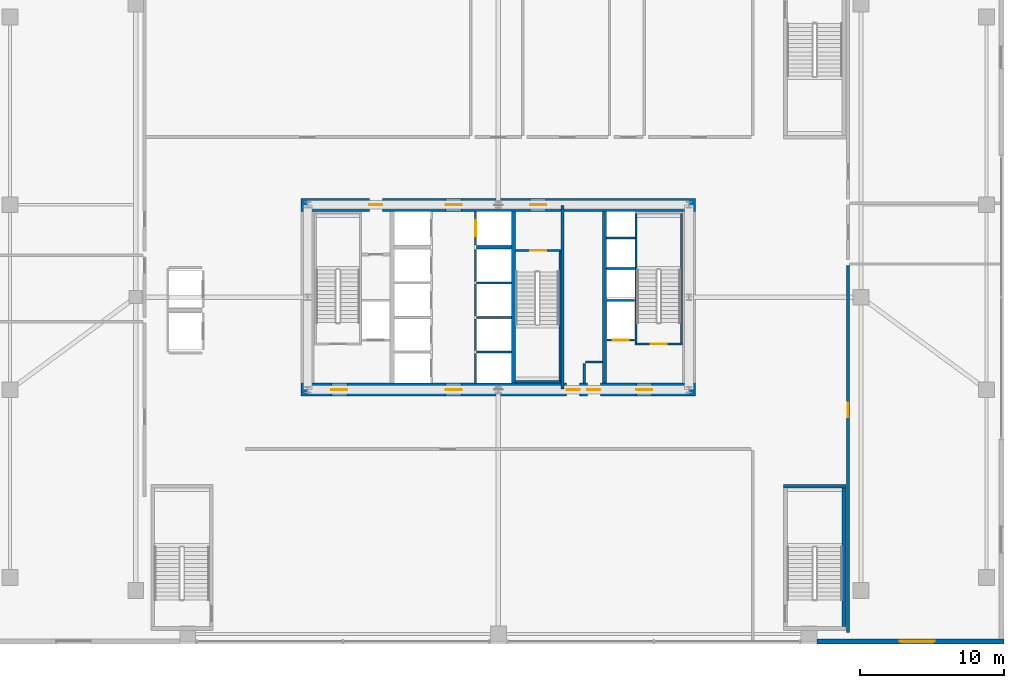
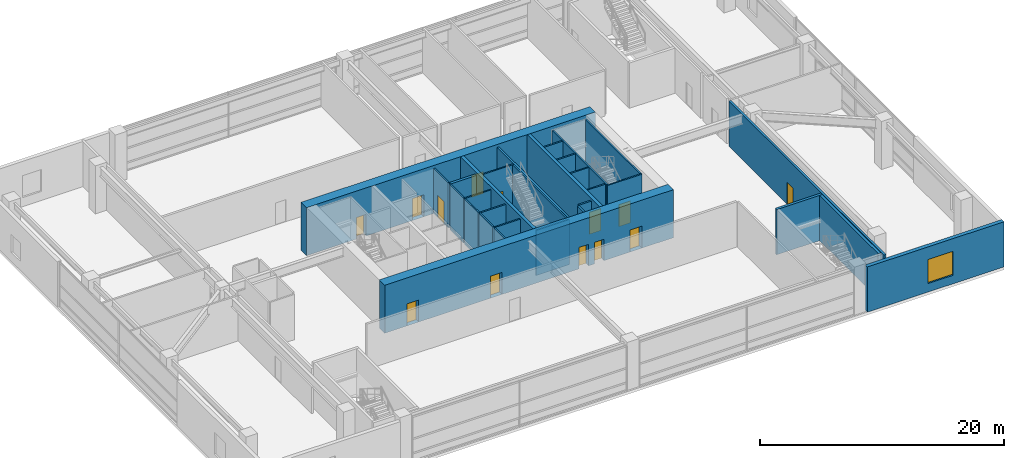
# One storey, part 34 of 38: 30 walls, 13 doors, 1 window, 14 openings.
"""IFC4 building model written with IfcOpenShell, lengths in metres."""

from ifc_helpers import new_model, si_unit, direction, frame, frame_2d, origin, place, context, subcontext, project, spatial, rectangle, extrude, source, transform, mapped, material, layer, layer_set, type_object, element, fill, save


model = new_model("IFC4")

# Units and contexts
model_context = context("Model", 3, precision=1e-05, world=origin(), true_north=direction((0.0, 1.0)))
body_context = subcontext(model_context, "Body", "Model", "MODEL_VIEW")
ifc_project = project(units=[si_unit("LENGTHUNIT", "METRE"), si_unit("AREAUNIT", "SQUARE_METRE"), si_unit("VOLUMEUNIT", "CUBIC_METRE"), si_unit("PLANEANGLEUNIT", "RADIAN"), si_unit("MASSUNIT", "GRAM", prefix="KILO"), si_unit("THERMODYNAMICTEMPERATUREUNIT", "KELVIN"), si_unit("POWERUNIT", "WATT")], contexts=[model_context])

# Site, building, storey
site_placement = place(None, origin())
site = spatial("IfcSite", under=ifc_project, at=site_placement, CompositionType="ELEMENT")
building_placement = place(site_placement, origin())
building = spatial("IfcBuilding", under=site, at=building_placement, Name="Yuzanri Waterfront Tower", CompositionType="ELEMENT")
storey_placement = place(building_placement, frame((0.0, 0.0, 10.199951171875)))
storey = spatial("IfcBuildingStorey", under=building, at=storey_placement, Name="L03", CompositionType="ELEMENT", Elevation=10.199951171875)

# Wall, openings, doors
ifc_material_1 = material(Name="Concrete C60", Category="concrete")
ifc_layer_1 = layer(ifc_material_1, 0.89990234375)
ifc_layer_set_1 = layer_set([ifc_layer_1], Name="Concrete C60")
wall_type_1 = type_object("IfcWallType", Name="Concrete C60 Lower Zone Core Shear Wall 900", PredefinedType="SHEAR", material=ifc_layer_set_1)
wall_1_placement = place(storey_placement, frame((23.35009765625, 19.39990234375, 0.0), z_axis=(0.0, 0.0, 1.0), x_axis=(1.0, 0.0, 0.0)))
wall_1 = element("IfcWall", 1, at=wall_1_placement, inside=storey, type_object=wall_type_1, Name="L03 Core South Shear Wall", PredefinedType="SHEAR", context=body_context, shape_type="SweptSolid", body=[
    extrude(rectangle(XDim=27.2998046875, YDim=0.89990234375, at=frame_2d((13.64990234375, 0.0))), origin(), (0.0, 0.0, 1.0), 4.800048828125),
])
opening_1_placement = place(wall_1_placement, frame((2.10009765625, 0.0, 0.0)))
opening_1 = element("IfcOpeningElement", 2, at=opening_1_placement, cuts=wall_1, Name="Opening FD-1100", PredefinedType="OPENING", context=body_context, shape_type="SweptSolid", body=[
    extrude(rectangle(XDim=1.10009765625, YDim=2.199951171875, at=frame_2d((0.550048828125, 1.10009765625))), frame((0.0, 0.46484375, 0.0), z_axis=(0.0, -1.0, 0.0), x_axis=(1.0, 0.0, 0.0)), (0.0, 0.0, 1.0), 0.9296875),
])
opening_2_placement = place(wall_1_placement, frame((10.0, 0.0, 0.0)))
opening_2 = element("IfcOpeningElement", 3, at=opening_2_placement, cuts=wall_1, Name="Opening FD-1100", PredefinedType="OPENING", context=body_context, shape_type="SweptSolid", body=[
    extrude(rectangle(XDim=1.10009765625, YDim=2.199951171875, at=frame_2d((0.550048828125, 1.10009765625))), frame((0.0, 0.46484375, 0.0), z_axis=(0.0, -1.0, 0.0), x_axis=(1.0, 0.0, 0.0)), (0.0, 0.0, 1.0), 0.9296875),
])
opening_3_placement = place(wall_1_placement, frame((23.199951171875, 0.0, 0.0)))
opening_3 = element("IfcOpeningElement", 4, at=opening_3_placement, cuts=wall_1, Name="Opening FD-1100", PredefinedType="OPENING", context=body_context, shape_type="SweptSolid", body=[
    extrude(rectangle(XDim=1.10009765625, YDim=2.199951171875, at=frame_2d((0.550048828125, 1.10009765625))), frame((0.0, 0.46484375, 0.0), z_axis=(0.0, -1.0, 0.0), x_axis=(1.0, 0.0, 0.0)), (0.0, 0.0, 1.0), 0.9296875),
])
opening_4_placement = place(wall_1_placement, frame((19.820068359375, 0.0, 0.0)))
opening_4 = element("IfcOpeningElement", 5, at=opening_4_placement, cuts=wall_1, Name="Opening FD-0900", PredefinedType="OPENING", context=body_context, shape_type="SweptSolid", body=[
    extrude(rectangle(XDim=0.89990234375, YDim=2.14990234375, at=frame_2d((0.449951171875, 1.074951171875))), frame((0.0, 0.46484375, 0.0), z_axis=(0.0, -1.0, 0.0), x_axis=(1.0, 0.0, 0.0)), (0.0, 0.0, 1.0), 0.9296875),
])
opening_5_placement = place(wall_1_placement, frame((18.3798828125, 0.0, 0.0)))
opening_5 = element("IfcOpeningElement", 6, at=opening_5_placement, cuts=wall_1, Name="Opening FD-0900", PredefinedType="OPENING", context=body_context, shape_type="SweptSolid", body=[
    extrude(rectangle(XDim=0.89990234375, YDim=2.14990234375, at=frame_2d((0.449951171875, 1.074951171875))), frame((0.0, 0.46484375, 0.0), z_axis=(0.0, -1.0, 0.0), x_axis=(1.0, 0.0, 0.0)), (0.0, 0.0, 1.0), 0.9296875),
])
ifc_material_2 = material(Name="Painted Galvanized Fire Steel", Category="steel")
door_type_1 = type_object("IfcDoorType", Name="Smoke-Proof Stair and Lobby Fire Door 1100x2200", OperationType="NOTDEFINED", PredefinedType="DOOR", material=ifc_material_2)
shared_shape_1 = source(origin(), body_context, "Body", "SweptSolid", [
    extrude(rectangle(XDim=1.10009765625, YDim=2.199951171875, at=frame_2d((0.550048828125, 1.10009765625))), frame((0.0, 0.02490234375, 0.0), z_axis=(0.0, -1.0, 0.0), x_axis=(1.0, 0.0, 0.0)), (0.0, 0.0, 1.0), 0.050048828125),
])
door_1_placement = place(opening_1_placement, origin())
door_1 = element("IfcDoor", 7, at=door_1_placement, inside=storey, type_object=door_type_1, Name="L03 West Firefighting Lobby Door", OperationType="SINGLE_SWING_RIGHT", OverallHeight=2.199951171875, OverallWidth=1.10009765625, PredefinedType="DOOR", context=body_context, shape_type="MappedRepresentation", body=[
    mapped(shared_shape_1, transform((0.0, 0.0, 0.0), scale=1.0)),
])
fill(opening_1, door_1)
door_2_placement = place(opening_2_placement, origin())
door_2 = element("IfcDoor", 8, at=door_2_placement, inside=storey, type_object=door_type_1, Name="L03 Central Lift Lobby South Door", OperationType="SINGLE_SWING_LEFT", OverallHeight=2.199951171875, OverallWidth=1.10009765625, PredefinedType="DOOR", context=body_context, shape_type="MappedRepresentation", body=[
    mapped(shared_shape_1, transform((0.0, 0.0, 0.0), scale=1.0)),
])
fill(opening_2, door_2)
door_3_placement = place(opening_3_placement, origin())
door_3 = element("IfcDoor", 9, at=door_3_placement, inside=storey, type_object=door_type_1, Name="L03 East Firefighting Lobby Door", OperationType="SINGLE_SWING_RIGHT", OverallHeight=2.199951171875, OverallWidth=1.10009765625, PredefinedType="DOOR", context=body_context, shape_type="MappedRepresentation", body=[
    mapped(shared_shape_1, transform((0.0, 0.0, 0.0), scale=1.0)),
])
fill(opening_3, door_3)
ifc_material_3 = material(Name="Painted Galvanized Fire Steel", Category="steel")
door_type_2 = type_object("IfcDoorType", Name="Riser and Service Room Fire Door 900x2150", OperationType="NOTDEFINED", PredefinedType="DOOR", material=ifc_material_3)
shared_shape_2 = source(origin(), body_context, "Body", "SweptSolid", [
    extrude(rectangle(XDim=0.89990234375, YDim=2.14990234375, at=frame_2d((0.449951171875, 1.074951171875))), frame((0.0, 0.02490234375, 0.0), z_axis=(0.0, -1.0, 0.0), x_axis=(1.0, 0.0, 0.0)), (0.0, 0.0, 1.0), 0.050048828125),
])
door_4_placement = place(opening_4_placement, origin())
door_4 = element("IfcDoor", 10, at=door_4_placement, inside=storey, type_object=door_type_2, Name="L03 East Wet Riser Door", OperationType="SINGLE_SWING_LEFT", OverallHeight=2.14990234375, OverallWidth=0.89990234375, PredefinedType="DOOR", context=body_context, shape_type="MappedRepresentation", body=[
    mapped(shared_shape_2, transform((0.0, 0.0, 0.0), scale=1.0)),
])
fill(opening_4, door_4)
door_5_placement = place(opening_5_placement, origin())
door_5 = element("IfcDoor", 11, at=door_5_placement, inside=storey, type_object=door_type_2, Name="L03 Cleaners Store Room", OperationType="SINGLE_SWING_RIGHT", OverallHeight=2.14990234375, OverallWidth=0.89990234375, PredefinedType="DOOR", context=body_context, shape_type="MappedRepresentation", body=[
    mapped(shared_shape_2, transform((0.0, 0.0, 0.0), scale=1.0)),
])
fill(opening_5, door_5)

wall_2_placement = place(storey_placement, frame((23.35009765625, 32.199951171875, 0.0), z_axis=(0.0, 0.0, 1.0), x_axis=(1.0, 0.0, 0.0)))
wall_2 = element("IfcWall", 12, at=wall_2_placement, inside=storey, type_object=wall_type_1, Name="L03 Core North Shear Wall", PredefinedType="SHEAR", context=body_context, shape_type="SweptSolid", body=[
    extrude(rectangle(XDim=27.2998046875, YDim=0.89990234375, at=frame_2d((13.64990234375, 0.0))), origin(), (0.0, 0.0, 1.0), 4.800048828125),
])
opening_6_placement = place(wall_2_placement, frame((4.719970703125, 0.0, 0.0)))
opening_6 = element("IfcOpeningElement", 13, at=opening_6_placement, cuts=wall_2, Name="Opening FD-0900", PredefinedType="OPENING", context=body_context, shape_type="SweptSolid", body=[
    extrude(rectangle(XDim=0.89990234375, YDim=2.14990234375, at=frame_2d((0.449951171875, 1.074951171875))), frame((0.0, 0.46484375, 0.0), z_axis=(0.0, -1.0, 0.0), x_axis=(1.0, 0.0, 0.0)), (0.0, 0.0, 1.0), 0.9296875),
])
opening_7_placement = place(wall_2_placement, frame((10.0, 0.0, 0.0)))
opening_7 = element("IfcOpeningElement", 14, at=opening_7_placement, cuts=wall_2, Name="Opening FD-1100", PredefinedType="OPENING", context=body_context, shape_type="SweptSolid", body=[
    extrude(rectangle(XDim=1.10009765625, YDim=2.199951171875, at=frame_2d((0.550048828125, 1.10009765625))), frame((0.0, 0.46484375, 0.0), z_axis=(0.0, -1.0, 0.0), x_axis=(1.0, 0.0, 0.0)), (0.0, 0.0, 1.0), 0.9296875),
])
opening_8_placement = place(wall_2_placement, frame((15.85009765625, 0.0, 0.0)))
opening_8 = element("IfcOpeningElement", 15, at=opening_8_placement, cuts=wall_2, Name="Opening FD-1100", PredefinedType="OPENING", context=body_context, shape_type="SweptSolid", body=[
    extrude(rectangle(XDim=1.10009765625, YDim=2.199951171875, at=frame_2d((0.550048828125, 1.10009765625))), frame((0.0, 0.46484375, 0.0), z_axis=(0.0, -1.0, 0.0), x_axis=(1.0, 0.0, 0.0)), (0.0, 0.0, 1.0), 0.9296875),
])
door_6_placement = place(opening_7_placement, origin())
door_6 = element("IfcDoor", 16, at=door_6_placement, inside=storey, type_object=door_type_1, Name="L03 Central Lift Lobby North Door", OperationType="SINGLE_SWING_RIGHT", OverallHeight=2.199951171875, OverallWidth=1.10009765625, PredefinedType="DOOR", context=body_context, shape_type="MappedRepresentation", body=[
    mapped(shared_shape_1, transform((0.0, 0.0, 0.0), scale=1.0)),
])
fill(opening_7, door_6)
door_7_placement = place(opening_8_placement, origin())
door_7 = element("IfcDoor", 17, at=door_7_placement, inside=storey, type_object=door_type_1, Name="L03 North Stair Lobby Door", OperationType="SINGLE_SWING_LEFT", OverallHeight=2.199951171875, OverallWidth=1.10009765625, PredefinedType="DOOR", context=body_context, shape_type="MappedRepresentation", body=[
    mapped(shared_shape_1, transform((0.0, 0.0, 0.0), scale=1.0)),
])
fill(opening_8, door_7)
door_8_placement = place(opening_6_placement, origin())
door_8 = element("IfcDoor", 18, at=door_8_placement, inside=storey, type_object=door_type_2, Name="L03 Telecom Riser Door", OperationType="SINGLE_SWING_LEFT", OverallHeight=2.14990234375, OverallWidth=0.89990234375, PredefinedType="DOOR", context=body_context, shape_type="MappedRepresentation", body=[
    mapped(shared_shape_2, transform((0.0, 0.0, 0.0), scale=1.0)),
])
fill(opening_6, door_8)

# Wall, opening, door
ifc_material_4 = material(Name="Concrete C40", Category="concrete")
ifc_layer_2 = layer(ifc_material_4, 0.139892578125)
ifc_layer_set_2 = layer_set([ifc_layer_2], Name="Concrete C40")
wall_type_2 = type_object("IfcWallType", Name="Core Stair Liner and Hoistway Shaft Wall 140", PredefinedType="SOLIDWALL", material=ifc_layer_set_2)
wall_3_placement = place(storey_placement, frame((44.52001953125, 22.830078125, 0.0), z_axis=(0.0, 0.0, 1.0), x_axis=(1.0, 0.0, 0.0)))
wall_3 = element("IfcWall", 19, at=wall_3_placement, inside=storey, type_object=wall_type_2, Name="L03 Lift FL-02 Front Shaft Wall", PredefinedType="SOLIDWALL", context=body_context, shape_type="SweptSolid", body=[
    extrude(rectangle(XDim=1.919921875, YDim=0.139892578125, at=frame_2d((0.9599609375, 0.0))), origin(), (0.0, 0.0, 1.0), 4.52001953125),
])
opening_9_placement = place(wall_3_placement, frame((0.409912109375, 0.0, 0.0)))
opening_9 = element("IfcOpeningElement", 20, at=opening_9_placement, cuts=wall_3, Name="Opening LD-FL-02", PredefinedType="OPENING", context=body_context, shape_type="SweptSolid", body=[
    extrude(rectangle(XDim=1.10009765625, YDim=2.199951171875, at=frame_2d((0.550048828125, 1.10009765625))), frame((0.0, 0.0849609375, 0.0), z_axis=(0.0, -1.0, 0.0), x_axis=(1.0, 0.0, 0.0)), (0.0, 0.0, 1.0), 0.169677734375),
])
ifc_material_5 = material(Name="Brushed Bronze and Stainless Steel Cab", Category="steel")
door_type_3 = type_object("IfcDoorType", Name="Center-Parting Bronze Lift Landing Sliding Door 1100x2200", OperationType="NOTDEFINED", PredefinedType="DOOR", material=ifc_material_5)
shared_shape_3 = source(origin(), body_context, "Body", "SweptSolid", [
    extrude(rectangle(XDim=1.10009765625, YDim=2.199951171875, at=frame_2d((0.550048828125, 1.10009765625))), frame((0.0, 0.02490234375, 0.0), z_axis=(0.0, -1.0, 0.0), x_axis=(1.0, 0.0, 0.0)), (0.0, 0.0, 1.0), 0.050048828125),
])
door_9_placement = place(opening_9_placement, origin())
door_9 = element("IfcDoor", 21, at=door_9_placement, inside=storey, type_object=door_type_3, Name="L03 FL-02 Lift Landing Sliding Door", OperationType="SLIDING_TO_RIGHT", OverallHeight=2.199951171875, OverallWidth=1.10009765625, PredefinedType="DOOR", context=body_context, shape_type="MappedRepresentation", body=[
    mapped(shared_shape_3, transform((0.0, 0.0, 0.0), scale=1.0)),
])
fill(opening_9, door_9)

wall_4_placement = place(storey_placement, frame((35.429931640625, 29.39990234375, 0.0), z_axis=(0.0, 0.0, 1.0), x_axis=(0.0, 1.0, 0.0)))
wall_4 = element("IfcWall", 22, at=wall_4_placement, inside=storey, type_object=wall_type_2, Name="L03 Lift SL-02 Front Shaft Wall", PredefinedType="SOLIDWALL", context=body_context, shape_type="SweptSolid", body=[
    extrude(rectangle(XDim=2.340087890625, YDim=0.139892578125, at=frame_2d((1.169921875, 0.0))), origin(), (0.0, 0.0, 1.0), 4.52001953125),
])
opening_10_placement = place(wall_4_placement, frame((0.6201171875, 0.0, 0.0)))
opening_10 = element("IfcOpeningElement", 23, at=opening_10_placement, cuts=wall_4, Name="Opening LD-SL-02", PredefinedType="OPENING", context=body_context, shape_type="SweptSolid", body=[
    extrude(rectangle(XDim=1.10009765625, YDim=2.199951171875, at=frame_2d((0.550048828125, 1.10009765625))), frame((0.0, 0.0849609375, 0.0), z_axis=(0.0, -1.0, 0.0), x_axis=(1.0, 0.0, 0.0)), (0.0, 0.0, 1.0), 0.169677734375),
])
door_10_placement = place(opening_10_placement, origin())
door_10 = element("IfcDoor", 24, at=door_10_placement, inside=storey, type_object=door_type_3, Name="L03 SL-02 Lift Landing Sliding Door", OperationType="SLIDING_TO_RIGHT", OverallHeight=2.199951171875, OverallWidth=1.10009765625, PredefinedType="DOOR", context=body_context, shape_type="MappedRepresentation", body=[
    mapped(shared_shape_3, transform((0.0, 0.0, 0.0), scale=1.0)),
])
fill(opening_10, door_10)

wall_5_placement = place(storey_placement, frame((46.4599609375, 22.570068359375, 0.0), z_axis=(0.0, 0.0, 1.0), x_axis=(1.0, 0.0, 0.0)))
wall_5 = element("IfcWall", 25, at=wall_5_placement, inside=storey, type_object=wall_type_2, Name="L03 Shaft Wall STW-L03-ST-02-S", PredefinedType="SOLIDWALL", context=body_context, shape_type="SweptSolid", body=[
    extrude(rectangle(XDim=3.280029296875, YDim=0.139892578125, at=frame_2d((1.64013671875, 0.0))), origin(), (0.0, 0.0, 1.0), 4.52001953125),
])
opening_11_placement = place(wall_5_placement, frame((1.090087890625, 0.0, 0.0)))
opening_11 = element("IfcOpeningElement", 26, at=opening_11_placement, cuts=wall_5, Name="Opening FD-1100", PredefinedType="OPENING", context=body_context, shape_type="SweptSolid", body=[
    extrude(rectangle(XDim=1.10009765625, YDim=2.199951171875, at=frame_2d((0.550048828125, 1.10009765625))), frame((0.0, 0.0849609375, 0.0), z_axis=(0.0, -1.0, 0.0), x_axis=(1.0, 0.0, 0.0)), (0.0, 0.0, 1.0), 0.169677734375),
])
door_11_placement = place(opening_11_placement, origin())
door_11 = element("IfcDoor", 27, at=door_11_placement, inside=storey, type_object=door_type_1, Name="L03 Stair ST-02 Fire Door", OperationType="SINGLE_SWING_LEFT", OverallHeight=2.199951171875, OverallWidth=1.10009765625, PredefinedType="DOOR", context=body_context, shape_type="MappedRepresentation", body=[
    mapped(shared_shape_1, transform((0.0, 0.0, 0.0), scale=1.0)),
])
fill(opening_11, door_11)

wall_6_placement = place(storey_placement, frame((38.199951171875, 29.030029296875, 0.0), z_axis=(0.0, 0.0, 1.0), x_axis=(1.0, 0.0, 0.0)))
wall_6 = element("IfcWall", 28, at=wall_6_placement, inside=storey, type_object=wall_type_2, Name="L03 Shaft Wall STW-L03-ST-03-N", PredefinedType="SOLIDWALL", context=body_context, shape_type="SweptSolid", body=[
    extrude(rectangle(XDim=3.14013671875, YDim=0.139892578125, at=frame_2d((1.570068359375, 0.0))), origin(), (0.0, 0.0, 1.0), 4.52001953125),
])
opening_12_placement = place(wall_6_placement, frame((1.02001953125, 0.0, 0.0)))
opening_12 = element("IfcOpeningElement", 29, at=opening_12_placement, cuts=wall_6, Name="Opening FD-1100", PredefinedType="OPENING", context=body_context, shape_type="SweptSolid", body=[
    extrude(rectangle(XDim=1.10009765625, YDim=2.199951171875, at=frame_2d((0.550048828125, 1.10009765625))), frame((0.0, 0.0849609375, 0.0), z_axis=(0.0, -1.0, 0.0), x_axis=(1.0, 0.0, 0.0)), (0.0, 0.0, 1.0), 0.169677734375),
])
door_12_placement = place(opening_12_placement, origin())
door_12 = element("IfcDoor", 30, at=door_12_placement, inside=storey, type_object=door_type_1, Name="L03 Stair ST-03 Fire Door", OperationType="SINGLE_SWING_RIGHT", OverallHeight=2.199951171875, OverallWidth=1.10009765625, PredefinedType="DOOR", context=body_context, shape_type="MappedRepresentation", body=[
    mapped(shared_shape_1, transform((0.0, 0.0, 0.0), scale=1.0)),
])
fill(opening_12, door_12)

ifc_material_6 = material(Name="Autoclaved Aerated Concrete Blockwork", Category="masonry")
ifc_layer_3 = layer(ifc_material_6, 0.199951171875)
ifc_layer_set_3 = layer_set([ifc_layer_3], Name="Autoclaved Aerated Concrete Blockwork")
wall_type_3 = type_object("IfcWallType", Name="Corridor and Unit Party Fire Wall 200", PredefinedType="PARTITIONING", material=ifc_layer_set_3)
wall_7_placement = place(storey_placement, frame((61.199951171875, 2.60009765625, 0.0), z_axis=(0.0, 0.0, 1.0), x_axis=(0.0, 1.0, 0.0)))
wall_7 = element("IfcWall", 31, at=wall_7_placement, inside=storey, type_object=wall_type_3, Name="L03 Partition PRW-L03-029-W", PredefinedType="PARTITIONING", context=body_context, shape_type="SweptSolid", body=[
    extrude(rectangle(XDim=25.39990234375, YDim=0.199951171875, at=frame_2d((12.699951171875, 0.0))), origin(), (0.0, 0.0, 1.0), 4.52001953125),
])
opening_13_placement = place(wall_7_placement, frame((14.89990234375, 0.0, 0.0)))
opening_13 = element("IfcOpeningElement", 32, at=opening_13_placement, cuts=wall_7, Name="Opening FD-1000", PredefinedType="OPENING", context=body_context, shape_type="SweptSolid", body=[
    extrude(rectangle(XDim=1.0, YDim=2.199951171875, at=frame_2d((0.5, 1.10009765625))), frame((0.0, 0.11474609375, 0.0), z_axis=(0.0, -1.0, 0.0), x_axis=(1.0, 0.0, 0.0)), (0.0, 0.0, 1.0), 0.229736328125),
])
ifc_material_7 = material(Name="Engineered Oak Fire-Rated Timber", Category="wood")
door_type_4 = type_object("IfcDoorType", Name="Guestroom and Apartment Entrance Fire Door 1000x2200", OperationType="NOTDEFINED", PredefinedType="DOOR", material=ifc_material_7)
shared_shape_4 = source(origin(), body_context, "Body", "SweptSolid", [
    extrude(rectangle(XDim=1.0, YDim=2.199951171875, at=frame_2d((0.5, 1.10009765625))), frame((0.0, 0.02490234375, 0.0), z_axis=(0.0, -1.0, 0.0), x_axis=(1.0, 0.0, 0.0)), (0.0, 0.0, 1.0), 0.050048828125),
])
door_13_placement = place(opening_13_placement, origin())
door_13 = element("IfcDoor", 33, at=door_13_placement, inside=storey, type_object=door_type_4, Name="L03 Specialty Sichuan Brasserie", OperationType="SINGLE_SWING_LEFT", OverallHeight=2.199951171875, OverallWidth=1.0, PredefinedType="DOOR", context=body_context, shape_type="MappedRepresentation", body=[
    mapped(shared_shape_4, transform((0.0, 0.0, 0.0), scale=1.0)),
])
fill(opening_13, door_13)

# Wall, opening, window
ifc_material_8 = material(Name="Honed Chongqing Dark Basalt Stone", Category="masonry")
ifc_layer_4 = layer(ifc_material_8, 0.360107421875)
ifc_layer_set_4 = layer_set([ifc_layer_4], Name="Honed Chongqing Dark Basalt Stone")
wall_type_4 = type_object("IfcWallType", Name="Honed Basalt Stone Masonry-Frame Spandrel Wall 360", PredefinedType="SOLIDWALL", material=ifc_layer_set_4)
wall_8_placement = place(storey_placement, frame((59.070068359375, 1.97998046875, 0.0), z_axis=(0.0, 0.0, 1.0), x_axis=(1.0, 0.0, 0.0)))
wall_8 = element("IfcWall", 34, at=wall_8_placement, inside=storey, type_object=wall_type_4, Name="L03 South-East Basalt Pier", PredefinedType="SOLIDWALL", context=body_context, shape_type="SweptSolid", body=[
    extrude(rectangle(XDim=12.929931640625, YDim=0.360107421875, at=frame_2d((6.46484375, 0.0))), origin(), (0.0, 0.0, 1.0), 4.52001953125),
])
opening_14_placement = place(wall_8_placement, frame((5.72998046875, 0.0, 0.85009765625)))
opening_14 = element("IfcOpeningElement", 35, at=opening_14_placement, cuts=wall_8, Name="Opening WN-03", PredefinedType="OPENING", context=body_context, shape_type="SweptSolid", body=[
    extrude(rectangle(XDim=2.39990234375, YDim=2.39990234375, at=frame_2d((1.199951171875, 1.199951171875))), frame((0.0, 0.19482421875, 0.0), z_axis=(0.0, -1.0, 0.0), x_axis=(1.0, 0.0, 0.0)), (0.0, 0.0, 1.0), 0.389892578125),
])
ifc_material_9 = material(Name="Double-Silver Low-E Insulated Glass", Category="glass")
window_type = type_object("IfcWindowType", Name="Anodized Bronze Podium Waterfront Picture Window 2400x2400", PartitioningType="SINGLE_PANEL", PredefinedType="WINDOW", material=ifc_material_9)
shared_shape_5 = source(origin(), body_context, "Body", "SweptSolid", [
    extrude(rectangle(XDim=2.39990234375, YDim=2.39990234375, at=frame_2d((1.199951171875, 1.199951171875))), frame((0.0, 0.030029296875, 0.0), z_axis=(0.0, -1.0, 0.0), x_axis=(1.0, 0.0, 0.0)), (0.0, 0.0, 1.0), 0.06005859375),
])
window_placement = place(opening_14_placement, origin())
window = element("IfcWindow", 36, at=window_placement, inside=storey, type_object=window_type, Name="L03 SE Waterfront Window", OverallHeight=2.39990234375, OverallWidth=2.39990234375, PartitioningType="SINGLE_PANEL", PredefinedType="WINDOW", context=body_context, shape_type="MappedRepresentation", body=[
    mapped(shared_shape_5, transform((0.0, 0.0, 0.0), scale=1.0)),
])
fill(opening_14, window)

# Walls
ifc_material_10 = material(Name="Concrete C50", Category="concrete")
ifc_layer_5 = layer(ifc_material_10, 0.300048828125)
ifc_layer_set_5 = layer_set([ifc_layer_5], Name="Concrete C50")
wall_type_5 = type_object("IfcWallType", Name="Concrete C50 Internal Core Shaft Structural Wall 300", PredefinedType="SOLIDWALL", material=ifc_layer_set_5)
shared_shape_6 = source(origin(), body_context, "Body", "SweptSolid", [
    extrude(rectangle(XDim=11.89990234375, YDim=0.300048828125, at=frame_2d((5.949951171875, 0.0))), origin(), (0.0, 0.0, 1.0), 4.800048828125),
])
for number, where, z_axis, x_axis, name in (
    (37, (38.050048828125, 19.85009765625, 0.0), (0.0, 0.0, 1.0), (0.0, 1.0, 0.0), "L03 Core Internal Structural Web Wall 2"),
    (38, (44.35009765625, 19.85009765625, 0.0), (0.0, 0.0, 1.0), (0.0, 1.0, 0.0), "L03 Core Internal Structural Web Wall 3"),
):
    element("IfcWall", number, at=place(storey_placement, frame(where, z_axis=z_axis, x_axis=x_axis)), inside=storey, type_object=wall_type_5, Name=name, PredefinedType="SOLIDWALL", context=body_context, shape_type="MappedRepresentation", body=[
        mapped(shared_shape_6, transform((0.0, 0.0, 0.0), scale=1.0)),
    ])
shared_shape_7 = source(origin(), body_context, "Body", "SweptSolid", [
    extrude(rectangle(XDim=1.919921875, YDim=0.139892578125, at=frame_2d((0.9599609375, 0.0))), origin(), (0.0, 0.0, 1.0), 4.52001953125),
])
wall_9_placement = place(storey_placement, frame((44.52001953125, 25.570068359375, 0.0), z_axis=(0.0, 0.0, 1.0), x_axis=(1.0, 0.0, 0.0)))
element("IfcWall", 39, at=wall_9_placement, inside=storey, type_object=wall_type_2, Name="L03 Lift FL-02 Back Shaft Wall", PredefinedType="SOLIDWALL", context=body_context, shape_type="MappedRepresentation", body=[
    mapped(shared_shape_7, transform((0.0, 0.0, 0.0), scale=1.0)),
])
shared_shape_8 = source(origin(), body_context, "Body", "SweptSolid", [
    extrude(rectangle(XDim=2.039794921875, YDim=0.139892578125, at=frame_2d((1.02001953125, 0.0))), origin(), (0.0, 0.0, 1.0), 4.52001953125),
])
wall_10_placement = place(storey_placement, frame((35.429931640625, 19.860107421875, 0.0), z_axis=(0.0, 0.0, 1.0), x_axis=(0.0, 1.0, 0.0)))
element("IfcWall", 40, at=wall_10_placement, inside=storey, type_object=wall_type_2, Name="L03 Lift PL-05 Front Shaft Wall", PredefinedType="SOLIDWALL", context=body_context, shape_type="MappedRepresentation", body=[
    mapped(shared_shape_8, transform((0.0, 0.0, 0.0), scale=1.0)),
])
shared_shape_9 = source(origin(), body_context, "Body", "SweptSolid", [
    extrude(rectangle(XDim=2.199951171875, YDim=0.139892578125, at=frame_2d((1.10009765625, 0.0))), origin(), (0.0, 0.0, 1.0), 4.52001953125),
])
for number, where, z_axis, x_axis, name in (
    (41, (35.429931640625, 22.10009765625, 0.0), (0.0, 0.0, 1.0), (0.0, 1.0, 0.0), "L03 Lift PL-06 Front Shaft Wall"),
    (42, (35.429931640625, 24.5, 0.0), (0.0, 0.0, 1.0), (0.0, 1.0, 0.0), "L03 Lift PL-07 Front Shaft Wall"),
):
    element("IfcWall", number, at=place(storey_placement, frame(where, z_axis=z_axis, x_axis=x_axis)), inside=storey, type_object=wall_type_2, Name=name, PredefinedType="SOLIDWALL", context=body_context, shape_type="MappedRepresentation", body=[
        mapped(shared_shape_9, transform((0.0, 0.0, 0.0), scale=1.0)),
    ])
shared_shape_10 = source(origin(), body_context, "Body", "SweptSolid", [
    extrude(rectangle(XDim=2.2001953125, YDim=0.139892578125, at=frame_2d((1.10009765625, 0.0))), origin(), (0.0, 0.0, 1.0), 4.52001953125),
])
wall_11_placement = place(storey_placement, frame((35.429931640625, 26.89990234375, 0.0), z_axis=(0.0, 0.0, 1.0), x_axis=(0.0, 1.0, 0.0)))
element("IfcWall", 43, at=wall_11_placement, inside=storey, type_object=wall_type_2, Name="L03 Lift PL-08 Front Shaft Wall", PredefinedType="SOLIDWALL", context=body_context, shape_type="MappedRepresentation", body=[
    mapped(shared_shape_10, transform((0.0, 0.0, 0.0), scale=1.0)),
])
shared_shape_11 = source(origin(), body_context, "Body", "SweptSolid", [
    extrude(rectangle(XDim=2.39990234375, YDim=0.139892578125, at=frame_2d((1.199951171875, 0.0))), origin(), (0.0, 0.0, 1.0), 4.52001953125),
])
for number, where, z_axis, x_axis, name in (
    (44, (35.5, 22.0, 0.0), (0.0, 0.0, 1.0), (1.0, 0.0, 0.0), "L03 Lift PL-05 Divider Wall"),
    (45, (35.5, 24.39990234375, 0.0), (0.0, 0.0, 1.0), (1.0, 0.0, 0.0), "L03 Lift PL-06 Divider Wall"),
    (46, (35.5, 26.800048828125, 0.0), (0.0, 0.0, 1.0), (1.0, 0.0, 0.0), "L03 Lift PL-07 Divider Wall"),
):
    element("IfcWall", number, at=place(storey_placement, frame(where, z_axis=z_axis, x_axis=x_axis)), inside=storey, type_object=wall_type_2, Name=name, PredefinedType="SOLIDWALL", context=body_context, shape_type="MappedRepresentation", body=[
        mapped(shared_shape_11, transform((0.0, 0.0, 0.0), scale=1.0)),
    ])
ifc_material_11 = material(Name="Concrete C40", Category="concrete")
ifc_layer_6 = layer(ifc_material_11, 0.25)
ifc_layer_set_6 = layer_set([ifc_layer_6], Name="Concrete C40")
wall_type_6 = type_object("IfcWallType", Name="Smoke-Proof Stair and Lift Shaft Wall 250", PredefinedType="SOLIDWALL", material=ifc_layer_set_6)
shared_shape_12 = source(origin(), body_context, "Body", "SweptSolid", [
    extrude(rectangle(XDim=2.39990234375, YDim=0.25, at=frame_2d((1.199951171875, 0.0))), origin(), (0.0, 0.0, 1.0), 4.52001953125),
])
wall_12_placement = place(storey_placement, frame((35.5, 29.25, 0.0), z_axis=(0.0, 0.0, 1.0), x_axis=(1.0, 0.0, 0.0)))
element("IfcWall", 47, at=wall_12_placement, inside=storey, type_object=wall_type_6, Name="L03 Lift SL-02 South Shaft Wall", PredefinedType="SOLIDWALL", context=body_context, shape_type="MappedRepresentation", body=[
    mapped(shared_shape_12, transform((0.0, 0.0, 0.0), scale=1.0)),
])
shared_shape_13 = source(origin(), body_context, "Body", "SweptSolid", [
    extrude(rectangle(XDim=2.0, YDim=0.139892578125, at=frame_2d((1.0, 0.0))), origin(), (0.0, 0.0, 1.0), 4.52001953125),
])
for number, where, z_axis, x_axis, name in (
    (48, (44.5, 27.800048828125, 0.0), (0.0, 0.0, 1.0), (1.0, 0.0, 0.0), "L03 Lift PL-09 Divider Wall"),
    (49, (44.5, 29.89990234375, 0.0), (0.0, 0.0, 1.0), (1.0, 0.0, 0.0), "L03 Lift PL-10 Divider Wall"),
):
    element("IfcWall", number, at=place(storey_placement, frame(where, z_axis=z_axis, x_axis=x_axis)), inside=storey, type_object=wall_type_2, Name=name, PredefinedType="SOLIDWALL", context=body_context, shape_type="MappedRepresentation", body=[
        mapped(shared_shape_13, transform((0.0, 0.0, 0.0), scale=1.0)),
    ])
shared_shape_14 = source(origin(), body_context, "Body", "SweptSolid", [
    extrude(rectangle(XDim=8.940185546875, YDim=0.139892578125, at=frame_2d((4.47021484375, 0.0))), origin(), (0.0, 0.0, 1.0), 4.52001953125),
])
for number, where, z_axis, x_axis, name in (
    (50, (46.530029296875, 22.639892578125, 0.0), (0.0, 0.0, 1.0), (0.0, 1.0, 0.0), "L03 Stair ST-02 West Shaft Wall"),
    (51, (49.669921875, 22.639892578125, 0.0), (0.0, 0.0, 1.0), (0.0, 1.0, 0.0), "L03 Stair ST-02 East Shaft Wall"),
):
    element("IfcWall", number, at=place(storey_placement, frame(where, z_axis=z_axis, x_axis=x_axis)), inside=storey, type_object=wall_type_2, Name=name, PredefinedType="SOLIDWALL", context=body_context, shape_type="MappedRepresentation", body=[
        mapped(shared_shape_14, transform((0.0, 0.0, 0.0), scale=1.0)),
    ])
shared_shape_15 = source(origin(), body_context, "Body", "SweptSolid", [
    extrude(rectangle(XDim=3.14013671875, YDim=0.139892578125, at=frame_2d((1.570068359375, 0.0))), origin(), (0.0, 0.0, 1.0), 4.52001953125),
])
wall_13_placement = place(storey_placement, frame((38.199951171875, 19.949951171875, 0.0), z_axis=(0.0, 0.0, 1.0), x_axis=(1.0, 0.0, 0.0)))
element("IfcWall", 52, at=wall_13_placement, inside=storey, type_object=wall_type_2, Name="L03 Stair ST-03 South Shaft Wall", PredefinedType="SOLIDWALL", context=body_context, shape_type="MappedRepresentation", body=[
    mapped(shared_shape_15, transform((0.0, 0.0, 0.0), scale=1.0)),
])
shared_shape_16 = source(origin(), body_context, "Body", "SweptSolid", [
    extrude(rectangle(XDim=8.93994140625, YDim=0.139892578125, at=frame_2d((4.469970703125, 0.0))), origin(), (0.0, 0.0, 1.0), 4.52001953125),
])
wall_14_placement = place(storey_placement, frame((41.27001953125, 20.02001953125, 0.0), z_axis=(0.0, 0.0, 1.0), x_axis=(0.0, 1.0, 0.0)))
element("IfcWall", 53, at=wall_14_placement, inside=storey, type_object=wall_type_2, Name="L03 Stair ST-03 East Shaft Wall", PredefinedType="SOLIDWALL", context=body_context, shape_type="MappedRepresentation", body=[
    mapped(shared_shape_16, transform((0.0, 0.0, 0.0), scale=1.0)),
])
shared_shape_17 = source(origin(), body_context, "Body", "SweptSolid", [
    extrude(rectangle(XDim=4.300048828125, YDim=0.25, at=frame_2d((2.14990234375, 0.0))), origin(), (0.0, 0.0, 1.0), 4.52001953125),
])
wall_15_placement = place(storey_placement, frame((56.75, 12.72509765625, 0.0), z_axis=(0.0, 0.0, 1.0), x_axis=(1.0, 0.0, 0.0)))
element("IfcWall", 54, at=wall_15_placement, inside=storey, type_object=wall_type_6, Name="L03 PST-02 North Wall", PredefinedType="SOLIDWALL", context=body_context, shape_type="MappedRepresentation", body=[
    mapped(shared_shape_17, transform((0.0, 0.0, 0.0), scale=1.0)),
])
shared_shape_18 = source(origin(), body_context, "Body", "SweptSolid", [
    extrude(rectangle(XDim=9.60009765625, YDim=0.25, at=frame_2d((4.800048828125, 0.0))), origin(), (0.0, 0.0, 1.0), 4.52001953125),
])
wall_16_placement = place(storey_placement, frame((60.925048828125, 3.0, 0.0), z_axis=(0.0, 0.0, 1.0), x_axis=(0.0, 1.0, 0.0)))
element("IfcWall", 55, at=wall_16_placement, inside=storey, type_object=wall_type_6, Name="L03 Shaft Wall PSTW-L03-PST-02-E", PredefinedType="SOLIDWALL", context=body_context, shape_type="MappedRepresentation", body=[
    mapped(shared_shape_18, transform((0.0, 0.0, 0.0), scale=1.0)),
])
ifc_material_12 = material(Name="Gypsum Fireboard Acoustic Stud Wall", Category="gypsum")
ifc_layer_7 = layer(ifc_material_12, 0.159912109375)
ifc_layer_set_7 = layer_set([ifc_layer_7], Name="Gypsum Fireboard Acoustic Stud Wall")
wall_type_7 = type_object("IfcWallType", Name="Acoustic Suite Demising Partition 160", PredefinedType="PARTITIONING", material=ifc_layer_set_7)
shared_shape_19 = source(origin(), body_context, "Body", "SweptSolid", [
    extrude(rectangle(XDim=1.33984375, YDim=0.159912109375, at=frame_2d((0.669921875, 0.0))), origin(), (0.0, 0.0, 1.0), 4.52001953125),
])
wall_17_placement = place(storey_placement, frame((42.949951171875, 19.860107421875, 0.0), z_axis=(0.0, 0.0, 1.0), x_axis=(0.0, 1.0, 0.0)))
element("IfcWall", 56, at=wall_17_placement, inside=storey, type_object=wall_type_7, Name="L03 East Wet Riser West Wall", PredefinedType="PARTITIONING", context=body_context, shape_type="MappedRepresentation", body=[
    mapped(shared_shape_19, transform((0.0, 0.0, 0.0), scale=1.0)),
])
shared_shape_20 = source(origin(), body_context, "Body", "SweptSolid", [
    extrude(rectangle(XDim=1.169921875, YDim=0.159912109375, at=frame_2d((0.5849609375, 0.0))), origin(), (0.0, 0.0, 1.0), 4.52001953125),
])
wall_18_placement = place(storey_placement, frame((43.030029296875, 21.320068359375, 0.0), z_axis=(0.0, 0.0, 1.0), x_axis=(1.0, 0.0, 0.0)))
element("IfcWall", 57, at=wall_18_placement, inside=storey, type_object=wall_type_7, Name="L03 East Wet Riser North Wall", PredefinedType="PARTITIONING", context=body_context, shape_type="MappedRepresentation", body=[
    mapped(shared_shape_20, transform((0.0, 0.0, 0.0), scale=1.0)),
])
shared_shape_21 = source(origin(), body_context, "Body", "SweptSolid", [
    extrude(rectangle(XDim=12.719970703125, YDim=0.199951171875, at=frame_2d((6.35986328125, 0.0))), origin(), (0.0, 0.0, 1.0), 4.52001953125),
])
wall_19_placement = place(storey_placement, frame((41.449951171875, 19.43994140625, 0.0), z_axis=(0.0, 0.0, 1.0), x_axis=(0.0, 1.0, 0.0)))
element("IfcWall", 58, at=wall_19_placement, inside=storey, type_object=wall_type_3, Name="L03 Core BOH West Wall 1", PredefinedType="PARTITIONING", context=body_context, shape_type="MappedRepresentation", body=[
    mapped(shared_shape_21, transform((0.0, 0.0, 0.0), scale=1.0)),
])

save(model, "model.ifc")
